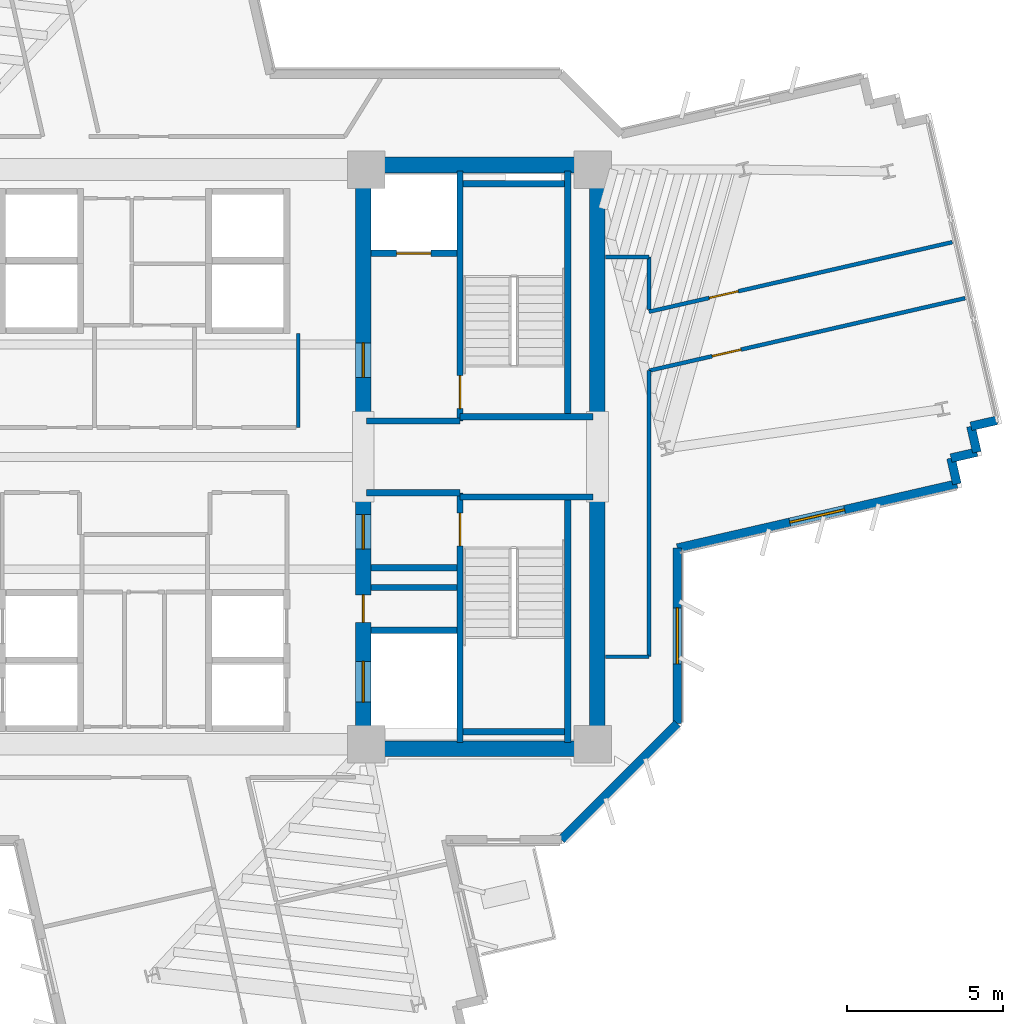
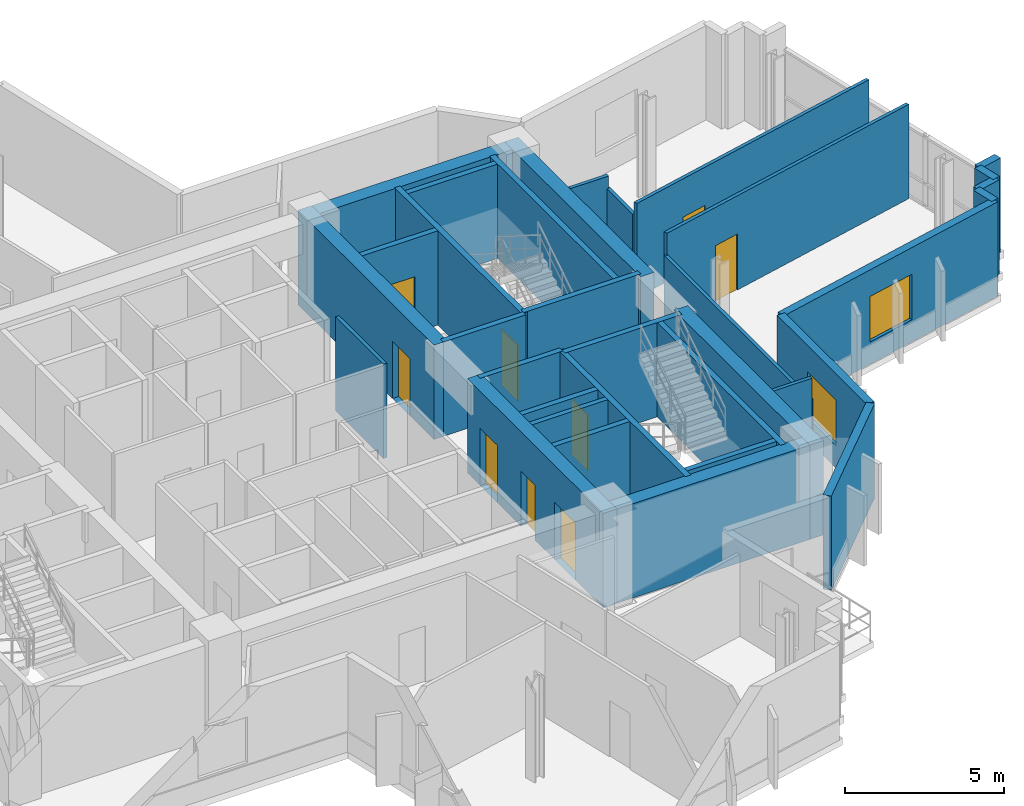
# One storey, part 9 of 13: 34 walls, 9 doors, 2 windows, 11 openings.
"""IFC4 building model written with IfcOpenShell, lengths in metres."""

from ifc_helpers import new_model, si_unit, direction, frame, frame_2d, origin, place, context, subcontext, project, spatial, rectangle, extrude, source, transform, mapped, material, layer, layer_set, type_object, element, fill, save


model = new_model("IFC4")

# Units and contexts
model_context = context("Model", 3, precision=1e-05, world=origin(), true_north=direction((0.0, 1.0)))
body_context = subcontext(model_context, "Body", "Model", "MODEL_VIEW")
ifc_project = project(units=[si_unit("LENGTHUNIT", "METRE"), si_unit("AREAUNIT", "SQUARE_METRE"), si_unit("VOLUMEUNIT", "CUBIC_METRE"), si_unit("PLANEANGLEUNIT", "RADIAN"), si_unit("MASSUNIT", "GRAM", prefix="KILO")], contexts=[model_context])

# Site, building, storey
site_placement = place(None, origin())
site = spatial("IfcSite", under=ifc_project, at=site_placement, CompositionType="ELEMENT")
building_placement = place(site_placement, origin())
building = spatial("IfcBuilding", under=site, at=building_placement, Name="Zahravan Cultural Tower", CompositionType="ELEMENT")
storey_placement = place(building_placement, frame((0.0, 0.0, 170.699951171875)))
storey = spatial("IfcBuildingStorey", under=building, at=storey_placement, Name="L39", CompositionType="ELEMENT", Elevation=170.699951171875)

# Wall, openings, doors
ifc_material_1 = material(Name="Concrete C60/75", Category="concrete")
ifc_layer_1 = layer(ifc_material_1, 0.5)
ifc_layer_set_1 = layer_set([ifc_layer_1], Name="Concrete C60/75")
wall_type_1 = type_object("IfcWallType", Name="CW-SHEAR-500-C60", PredefinedType="SHEAR", material=ifc_layer_set_1)
wall_1_placement = place(storey_placement, frame((43.0, 17.39990234375, 0.0), z_axis=(0.0, 0.0, 1.0), x_axis=(0.0, 1.0, 0.0)))
wall_1 = element("IfcWall", 1, at=wall_1_placement, inside=storey, type_object=wall_type_1, Name="L39 Core Shear Wall CW-E-WS-L39", PredefinedType="SHEAR", context=body_context, shape_type="SweptSolid", body=[
    extrude(rectangle(XDim=8.550048828125, YDim=0.5, at=frame_2d((4.27490234375, 0.0))), origin(), (0.0, 0.0, 1.0), 3.6201171875),
])
opening_1_placement = place(wall_1_placement, frame((6.64990234375, 0.0, 0.0)))
opening_1 = element("IfcOpeningElement", 2, at=opening_1_placement, cuts=wall_1, Name="Opening D-L39-08", PredefinedType="OPENING", context=body_context, shape_type="SweptSolid", body=[
    extrude(rectangle(XDim=1.10009765625, YDim=2.199951171875, at=frame_2d((0.550048828125, 1.10009765625))), frame((0.0, 0.260009765625, 0.0), z_axis=(0.0, -1.0, 0.0), x_axis=(1.0, 0.0, 0.0)), (0.0, 0.0, 1.0), 0.52001953125),
])
opening_2_placement = place(wall_1_placement, frame((1.75, 0.0, 0.0)))
opening_2 = element("IfcOpeningElement", 3, at=opening_2_placement, cuts=wall_1, Name="Opening LD-L39-03", PredefinedType="OPENING", context=body_context, shape_type="SweptSolid", body=[
    extrude(rectangle(XDim=1.300048828125, YDim=2.199951171875, at=frame_2d((0.64990234375, 1.10009765625))), frame((0.0, 0.260009765625, 0.0), z_axis=(0.0, -1.0, 0.0), x_axis=(1.0, 0.0, 0.0)), (0.0, 0.0, 1.0), 0.52001953125),
])
opening_3_placement = place(wall_1_placement, frame((4.300048828125, 0.0, 0.0)))
opening_3 = element("IfcOpeningElement", 4, at=opening_3_placement, cuts=wall_1, Name="Opening D-L39-12", PredefinedType="OPENING", context=body_context, shape_type="SweptSolid", body=[
    extrude(rectangle(XDim=0.8798828125, YDim=2.10009765625, at=frame_2d((0.43994140625, 1.050048828125))), frame((0.0, 0.260009765625, 0.0), z_axis=(0.0, -1.0, 0.0), x_axis=(1.0, 0.0, 0.0)), (0.0, 0.0, 1.0), 0.52001953125),
])
ifc_material_2 = material(Name="Steel ASTM A572 Grade 50", Category="steel")
door_type_1 = type_object("IfcDoorType", Name="DR-LOBBY-1100", OperationType="NOTDEFINED", PredefinedType="DOOR", material=ifc_material_2)
shared_shape_1 = source(origin(), body_context, "Body", "SweptSolid", [
    extrude(rectangle(XDim=1.10009765625, YDim=2.199951171875, at=frame_2d((0.550048828125, 1.10009765625))), frame((0.0, 0.02490234375, 0.0), z_axis=(0.0, -1.0, 0.0), x_axis=(1.0, 0.0, 0.0)), (0.0, 0.0, 1.0), 0.050048828125),
])
door_1_placement = place(opening_1_placement, origin())
door_1 = element("IfcDoor", 5, at=door_1_placement, inside=storey, type_object=door_type_1, Name="L39 Door D-L39-08", OperationType="SINGLE_SWING_RIGHT", OverallHeight=2.199951171875, OverallWidth=1.10009765625, PredefinedType="DOOR", context=body_context, shape_type="MappedRepresentation", body=[
    mapped(shared_shape_1, transform((0.0, 0.0, 0.0), x_axis=(1.0, 0.0, 0.0), y_axis=(0.0, 1.0, 0.0), z_axis=(0.0, 0.0, 1.0), scale=1.0)),
])
fill(opening_1, door_1)
door_type_2 = type_object("IfcDoorType", Name="DR-LIFT-1300", OperationType="DOUBLE_DOOR_SLIDING", PredefinedType="DOOR", material=ifc_material_2)
shared_shape_2 = source(origin(), body_context, "Body", "SweptSolid", [
    extrude(rectangle(XDim=1.300048828125, YDim=2.199951171875, at=frame_2d((0.64990234375, 1.10009765625))), frame((0.0, 0.02490234375, 0.0), z_axis=(0.0, -1.0, 0.0), x_axis=(1.0, 0.0, 0.0)), (0.0, 0.0, 1.0), 0.050048828125),
])
door_2_placement = place(opening_2_placement, origin())
door_2 = element("IfcDoor", 6, at=door_2_placement, inside=storey, type_object=door_type_2, Name="L39 Door LD-L39-03", OperationType="DOUBLE_DOOR_SLIDING", OverallHeight=2.199951171875, OverallWidth=1.300048828125, PredefinedType="DOOR", context=body_context, shape_type="MappedRepresentation", body=[
    mapped(shared_shape_2, transform((0.0, 0.0, 0.0), x_axis=(1.0, 0.0, 0.0), y_axis=(0.0, 1.0, 0.0), z_axis=(0.0, 0.0, 1.0), scale=1.0)),
])
fill(opening_2, door_2)
door_type_3 = type_object("IfcDoorType", Name="DR-SVC-880", OperationType="NOTDEFINED", PredefinedType="DOOR", material=ifc_material_2)
shared_shape_3 = source(origin(), body_context, "Body", "SweptSolid", [
    extrude(rectangle(XDim=0.8798828125, YDim=2.10009765625, at=frame_2d((0.43994140625, 1.050048828125))), frame((0.0, 0.02490234375, 0.0), z_axis=(0.0, -1.0, 0.0), x_axis=(1.0, 0.0, 0.0)), (0.0, 0.0, 1.0), 0.050048828125),
])
door_3_placement = place(opening_3_placement, origin())
door_3 = element("IfcDoor", 7, at=door_3_placement, inside=storey, type_object=door_type_3, Name="L39 Door D-L39-12", OperationType="SINGLE_SWING_RIGHT", OverallHeight=2.10009765625, OverallWidth=0.8798828125, PredefinedType="DOOR", context=body_context, shape_type="MappedRepresentation", body=[
    mapped(shared_shape_3, transform((0.0, 0.0, 0.0), x_axis=(1.0, 0.0, 0.0), y_axis=(0.0, 1.0, 0.0), z_axis=(0.0, 0.0, 1.0), scale=1.0)),
])
fill(opening_3, door_3)

# Wall, opening, door
wall_2_placement = place(storey_placement, frame((43.0, 28.050048828125, 0.0), z_axis=(0.0, 0.0, 1.0), x_axis=(0.0, 1.0, 0.0)))
wall_2 = element("IfcWall", 8, at=wall_2_placement, inside=storey, type_object=wall_type_1, Name="L39 Core Shear Wall CW-E-WN-L39", PredefinedType="SHEAR", context=body_context, shape_type="SweptSolid", body=[
    extrude(rectangle(XDim=8.550048828125, YDim=0.5, at=frame_2d((4.27490234375, 0.0))), origin(), (0.0, 0.0, 1.0), 3.6201171875),
])
opening_4_placement = place(wall_2_placement, frame((1.5, 0.0, 0.0)))
opening_4 = element("IfcOpeningElement", 9, at=opening_4_placement, cuts=wall_2, Name="Opening D-L39-06", PredefinedType="OPENING", context=body_context, shape_type="SweptSolid", body=[
    extrude(rectangle(XDim=1.10009765625, YDim=2.199951171875, at=frame_2d((0.550048828125, 1.10009765625))), frame((0.0, 0.260009765625, 0.0), z_axis=(0.0, -1.0, 0.0), x_axis=(1.0, 0.0, 0.0)), (0.0, 0.0, 1.0), 0.52001953125),
])
door_4_placement = place(opening_4_placement, origin())
door_4 = element("IfcDoor", 10, at=door_4_placement, inside=storey, type_object=door_type_1, Name="L39 Door D-L39-06", OperationType="SINGLE_SWING_RIGHT", OverallHeight=2.199951171875, OverallWidth=1.10009765625, PredefinedType="DOOR", context=body_context, shape_type="MappedRepresentation", body=[
    mapped(shared_shape_1, transform((0.0, 0.0, 0.0), x_axis=(1.0, 0.0, 0.0), y_axis=(0.0, 1.0, 0.0), z_axis=(0.0, 0.0, 1.0), scale=1.0)),
])
fill(opening_4, door_4)

# Wall, opening, window
ifc_material_3 = material(Name="Precast concrete C40/50", Category="concrete")
ifc_layer_2 = layer(ifc_material_3, 0.280029296875)
ifc_layer_set_2 = layer_set([ifc_layer_2], Name="Precast concrete C40/50")
wall_type_2 = type_object("IfcWallType", Name="EW-TC-280", PredefinedType="SOLIDWALL", material=ifc_layer_set_2)
wall_3_placement = place(storey_placement, frame((62.01220703125, 26.13427734375, 0.0), z_axis=(0.0, 0.0, 1.0), x_axis=(-0.974680686557, -0.223601340005, 0.0)))
wall_3 = element("IfcWall", 11, at=wall_3_placement, inside=storey, type_object=wall_type_2, Name="L39 Exterior Masonry Frame Wall 10", PredefinedType="SOLIDWALL", context=body_context, shape_type="SweptSolid", body=[
    extrude(rectangle(XDim=9.184814453125, YDim=0.280029296875, at=frame_2d((4.59228515625, 0.0))), origin(), (0.0, 0.0, 1.0), 3.6201171875),
])
opening_5_placement = place(wall_3_placement, frame((3.69189453125, 0.0, 0.85009765625)))
opening_5 = element("IfcOpeningElement", 12, at=opening_5_placement, cuts=wall_3, Name="Opening WN-02", PredefinedType="OPENING", context=body_context, shape_type="SweptSolid", body=[
    extrude(rectangle(XDim=1.800048828125, YDim=1.75, at=frame_2d((0.89990234375, 0.875))), frame((0.0, 0.14990234375, 0.0), z_axis=(0.0, -1.0, 0.0), x_axis=(1.0, 0.0, 0.0)), (0.0, 0.0, 1.0), 0.300048828125),
])
ifc_material_4 = material(Name="Low-E solar-control double glazing", Category="glass")
window_type = type_object("IfcWindowType", Name="WN-REC-1800X1750", PartitioningType="DOUBLE_PANEL_VERTICAL", PredefinedType="WINDOW", material=ifc_material_4)
shared_shape_4 = source(origin(), body_context, "Body", "SweptSolid", [
    extrude(rectangle(XDim=1.800048828125, YDim=1.75, at=frame_2d((0.89990234375, 0.875))), frame((0.0, 0.030029296875, 0.0), z_axis=(0.0, -1.0, 0.0), x_axis=(1.0, 0.0, 0.0)), (0.0, 0.0, 1.0), 0.06005859375),
])
window_1_placement = place(opening_5_placement, origin())
window_1 = element("IfcWindow", 13, at=window_1_placement, inside=storey, type_object=window_type, Name="L39 Recessed Solar Window 02", OverallHeight=1.75, OverallWidth=1.800048828125, PartitioningType="DOUBLE_PANEL_VERTICAL", PredefinedType="WINDOW", context=body_context, shape_type="MappedRepresentation", body=[
    mapped(shared_shape_4, transform((0.0, 0.0, 0.0), x_axis=(1.0, 0.0, 0.0), y_axis=(0.0, 1.0, 0.0), z_axis=(0.0, 0.0, 1.0), scale=1.0)),
])
fill(opening_5, window_1)

wall_4_placement = place(storey_placement, frame((53.06005859375, 24.08056640625, 0.0), z_axis=(0.0, 0.0, 1.0), x_axis=(0.0, -1.0, 0.0)))
wall_4 = element("IfcWall", 14, at=wall_4_placement, inside=storey, type_object=wall_type_2, Name="L39 Exterior Masonry Frame Wall 11", PredefinedType="SOLIDWALL", context=body_context, shape_type="SweptSolid", body=[
    extrude(rectangle(XDim=5.62255859375, YDim=0.280029296875, at=frame_2d((2.811279296875, 0.0))), origin(), (0.0, 0.0, 1.0), 3.6201171875),
])
opening_6_placement = place(wall_4_placement, frame((1.910888671875, 0.0, 0.85009765625)))
opening_6 = element("IfcOpeningElement", 15, at=opening_6_placement, cuts=wall_4, Name="Opening WN-02", PredefinedType="OPENING", context=body_context, shape_type="SweptSolid", body=[
    extrude(rectangle(XDim=1.800048828125, YDim=1.75, at=frame_2d((0.89990234375, 0.875))), frame((0.0, 0.14990234375, 0.0), z_axis=(0.0, -1.0, 0.0), x_axis=(1.0, 0.0, 0.0)), (0.0, 0.0, 1.0), 0.300048828125),
])
window_2_placement = place(opening_6_placement, origin())
window_2 = element("IfcWindow", 16, at=window_2_placement, inside=storey, type_object=window_type, Name="L39 Recessed Solar Window 03", OverallHeight=1.75, OverallWidth=1.800048828125, PartitioningType="DOUBLE_PANEL_VERTICAL", PredefinedType="WINDOW", context=body_context, shape_type="MappedRepresentation", body=[
    mapped(shared_shape_4, transform((0.0, 0.0, 0.0), x_axis=(1.0, 0.0, 0.0), y_axis=(0.0, 1.0, 0.0), z_axis=(0.0, 0.0, 1.0), scale=1.0)),
])
fill(opening_6, window_2)

# Wall, opening, door
ifc_material_5 = material(Name="Gypsum plasterboard partition")
ifc_layer_3 = layer(ifc_material_5, 0.125)
ifc_layer_set_3 = layer_set([ifc_layer_3], Name="Gypsum plasterboard partition")
wall_type_3 = type_object("IfcWallType", Name="W-PART-125", PredefinedType="PARTITIONING", material=ifc_layer_set_3)
wall_5_placement = place(storey_placement, frame((52.14990234375, 29.760986328125, 0.0), z_axis=(0.0, 0.0, 1.0), x_axis=(0.974685490502, 0.223580398525, 0.0)))
wall_5 = element("IfcWall", 17, at=wall_5_placement, inside=storey, type_object=wall_type_3, Name="L39 Interior Wall 103", PredefinedType="PARTITIONING", context=body_context, shape_type="SweptSolid", body=[
    extrude(rectangle(XDim=10.38671875, YDim=0.125, at=frame_2d((5.193359375, 0.0))), origin(), (0.0, 0.0, 1.0), 3.6201171875),
])
opening_7_placement = place(wall_5_placement, frame((2.075927734375, 0.0, 0.0)))
opening_7 = element("IfcOpeningElement", 18, at=opening_7_placement, cuts=wall_5, Name="Opening D-L39-23", PredefinedType="OPENING", context=body_context, shape_type="SweptSolid", body=[
    extrude(rectangle(XDim=0.949951171875, YDim=2.14990234375, at=frame_2d((0.47509765625, 1.074951171875))), frame((0.0, 0.072509765625, 0.0), z_axis=(0.0, -1.0, 0.0), x_axis=(1.0, 0.0, 0.0)), (0.0, 0.0, 1.0), 0.14501953125),
])
ifc_material_6 = material(Name="Anodised bronze-aluminium mullion", Category="aluminium")
door_type_4 = type_object("IfcDoorType", Name="DR-ROOM-950", OperationType="NOTDEFINED", PredefinedType="DOOR", material=ifc_material_6)
shared_shape_5 = source(origin(), body_context, "Body", "SweptSolid", [
    extrude(rectangle(XDim=0.949951171875, YDim=2.14990234375, at=frame_2d((0.47509765625, 1.074951171875))), frame((0.0, 0.02490234375, 0.0), z_axis=(0.0, -1.0, 0.0), x_axis=(1.0, 0.0, 0.0)), (0.0, 0.0, 1.0), 0.050048828125),
])
door_5_placement = place(opening_7_placement, origin())
door_5 = element("IfcDoor", 19, at=door_5_placement, inside=storey, type_object=door_type_4, Name="L39 Door D-L39-23", OperationType="SINGLE_SWING_LEFT", OverallHeight=2.14990234375, OverallWidth=0.949951171875, PredefinedType="DOOR", context=body_context, shape_type="MappedRepresentation", body=[
    mapped(shared_shape_5, transform((0.0, 0.0, 0.0), x_axis=(1.0, 0.0, 0.0), y_axis=(0.0, 1.0, 0.0), z_axis=(0.0, 0.0, 1.0), scale=1.0)),
])
fill(opening_7, door_5)

wall_6_placement = place(storey_placement, frame((61.8623046875, 33.876708984375, 0.0), z_axis=(0.0, 0.0, 1.0), x_axis=(-0.974682727551, -0.223592443106, 0.0)))
wall_6 = element("IfcWall", 20, at=wall_6_placement, inside=storey, type_object=wall_type_3, Name="L39 Interior Wall 105", PredefinedType="PARTITIONING", context=body_context, shape_type="SweptSolid", body=[
    extrude(rectangle(XDim=9.964599609375, YDim=0.125, at=frame_2d((4.982421875, 0.0))), origin(), (0.0, 0.0, 1.0), 3.6201171875),
])
opening_8_placement = place(wall_6_placement, frame((7.03125, 0.0, 0.0)))
opening_8 = element("IfcOpeningElement", 21, at=opening_8_placement, cuts=wall_6, Name="Opening D-L39-24", PredefinedType="OPENING", context=body_context, shape_type="SweptSolid", body=[
    extrude(rectangle(XDim=0.949951171875, YDim=2.14990234375, at=frame_2d((0.47509765625, 1.074951171875))), frame((0.0, 0.072509765625, 0.0), z_axis=(0.0, -1.0, 0.0), x_axis=(1.0, 0.0, 0.0)), (0.0, 0.0, 1.0), 0.14501953125),
])
door_6_placement = place(opening_8_placement, origin())
door_6 = element("IfcDoor", 22, at=door_6_placement, inside=storey, type_object=door_type_4, Name="L39 Door D-L39-24", OperationType="SINGLE_SWING_RIGHT", OverallHeight=2.14990234375, OverallWidth=0.949951171875, PredefinedType="DOOR", context=body_context, shape_type="MappedRepresentation", body=[
    mapped(shared_shape_5, transform((0.0, 0.0, 0.0), x_axis=(1.0, 0.0, 0.0), y_axis=(0.0, 1.0, 0.0), z_axis=(0.0, 0.0, 1.0), scale=1.0)),
])
fill(opening_8, door_6)

ifc_material_7 = material(Name="Concrete C45/55", Category="concrete")
ifc_layer_4 = layer(ifc_material_7, 0.199951171875)
ifc_layer_set_4 = layer_set([ifc_layer_4], Name="Concrete C45/55")
wall_type_4 = type_object("IfcWallType", Name="W-SHAFT-200", PredefinedType="SOLIDWALL", material=ifc_layer_set_4)
wall_7_placement = place(storey_placement, frame((46.10009765625, 17.85009765625, 0.0), z_axis=(0.0, 0.0, 1.0), x_axis=(0.0, 1.0, 0.0)))
wall_7 = element("IfcWall", 23, at=wall_7_placement, inside=storey, type_object=wall_type_4, Name="L39 Interior Wall 007", PredefinedType="SOLIDWALL", context=body_context, shape_type="SweptSolid", body=[
    extrude(rectangle(XDim=8.0, YDim=0.199951171875, at=frame_2d((4.0, 0.0))), origin(), (0.0, 0.0, 1.0), 3.6201171875),
])
opening_9_placement = place(wall_7_placement, frame((6.300048828125, 0.0, 0.0)))
opening_9 = element("IfcOpeningElement", 24, at=opening_9_placement, cuts=wall_7, Name="Opening D-L39-03", PredefinedType="OPENING", context=body_context, shape_type="SweptSolid", body=[
    extrude(rectangle(XDim=1.050048828125, YDim=2.14990234375, at=frame_2d((0.52490234375, 1.074951171875))), frame((0.0, 0.10986328125, 0.0), z_axis=(0.0, -1.0, 0.0), x_axis=(1.0, 0.0, 0.0)), (0.0, 0.0, 1.0), 0.219970703125),
])
door_type_5 = type_object("IfcDoorType", Name="DR-STAIR-1050", OperationType="NOTDEFINED", PredefinedType="DOOR", material=ifc_material_2)
shared_shape_6 = source(origin(), body_context, "Body", "SweptSolid", [
    extrude(rectangle(XDim=1.050048828125, YDim=2.14990234375, at=frame_2d((0.52490234375, 1.074951171875))), frame((0.0, 0.02490234375, 0.0), z_axis=(0.0, -1.0, 0.0), x_axis=(1.0, 0.0, 0.0)), (0.0, 0.0, 1.0), 0.050048828125),
])
door_7_placement = place(opening_9_placement, origin())
door_7 = element("IfcDoor", 25, at=door_7_placement, inside=storey, type_object=door_type_5, Name="L39 Door D-L39-03", OperationType="SINGLE_SWING_LEFT", OverallHeight=2.14990234375, OverallWidth=1.050048828125, PredefinedType="DOOR", context=body_context, shape_type="MappedRepresentation", body=[
    mapped(shared_shape_6, transform((0.0, 0.0, 0.0), x_axis=(1.0, 0.0, 0.0), y_axis=(0.0, 1.0, 0.0), z_axis=(0.0, 0.0, 1.0), scale=1.0)),
])
fill(opening_9, door_7)

wall_8_placement = place(storey_placement, frame((46.10009765625, 28.14990234375, 0.0), z_axis=(0.0, 0.0, 1.0), x_axis=(0.0, 1.0, 0.0)))
wall_8 = element("IfcWall", 26, at=wall_8_placement, inside=storey, type_object=wall_type_4, Name="L39 Interior Wall 008", PredefinedType="SOLIDWALL", context=body_context, shape_type="SweptSolid", body=[
    extrude(rectangle(XDim=8.0, YDim=0.199951171875, at=frame_2d((4.0, 0.0))), origin(), (0.0, 0.0, 1.0), 3.6201171875),
])
opening_10_placement = place(wall_8_placement, frame((0.39990234375, 0.0, 0.0)))
opening_10 = element("IfcOpeningElement", 27, at=opening_10_placement, cuts=wall_8, Name="Opening D-L39-02", PredefinedType="OPENING", context=body_context, shape_type="SweptSolid", body=[
    extrude(rectangle(XDim=1.050048828125, YDim=2.14990234375, at=frame_2d((0.52490234375, 1.074951171875))), frame((0.0, 0.10986328125, 0.0), z_axis=(0.0, -1.0, 0.0), x_axis=(1.0, 0.0, 0.0)), (0.0, 0.0, 1.0), 0.219970703125),
])
door_8_placement = place(opening_10_placement, origin())
door_8 = element("IfcDoor", 28, at=door_8_placement, inside=storey, type_object=door_type_5, Name="L39 Door D-L39-02", OperationType="SINGLE_SWING_RIGHT", OverallHeight=2.14990234375, OverallWidth=1.050048828125, PredefinedType="DOOR", context=body_context, shape_type="MappedRepresentation", body=[
    mapped(shared_shape_6, transform((0.0, 0.0, 0.0), x_axis=(1.0, 0.0, 0.0), y_axis=(0.0, 1.0, 0.0), z_axis=(0.0, 0.0, 1.0), scale=1.0)),
])
fill(opening_10, door_8)

wall_9_placement = place(storey_placement, frame((43.25, 33.52001953125, 0.0), z_axis=(0.0, 0.0, 1.0), x_axis=(1.0, 0.0, 0.0)))
wall_9 = element("IfcWall", 29, at=wall_9_placement, inside=storey, type_object=wall_type_4, Name="L39 Interior Wall 022", PredefinedType="SOLIDWALL", context=body_context, shape_type="SweptSolid", body=[
    extrude(rectangle(XDim=2.75, YDim=0.199951171875, at=frame_2d((1.375, 0.0))), origin(), (0.0, 0.0, 1.0), 3.6201171875),
])
opening_11_placement = place(wall_9_placement, frame((0.820068359375, 0.0, 0.0)))
opening_11 = element("IfcOpeningElement", 30, at=opening_11_placement, cuts=wall_9, Name="Opening LD-L39-02", PredefinedType="OPENING", context=body_context, shape_type="SweptSolid", body=[
    extrude(rectangle(XDim=1.10009765625, YDim=2.14990234375, at=frame_2d((0.550048828125, 1.074951171875))), frame((0.0, 0.10986328125, 0.0), z_axis=(0.0, -1.0, 0.0), x_axis=(1.0, 0.0, 0.0)), (0.0, 0.0, 1.0), 0.219970703125),
])
door_type_6 = type_object("IfcDoorType", Name="DR-LIFT-1100", OperationType="DOUBLE_DOOR_SLIDING", PredefinedType="DOOR", material=ifc_material_2)
shared_shape_7 = source(origin(), body_context, "Body", "SweptSolid", [
    extrude(rectangle(XDim=1.10009765625, YDim=2.14990234375, at=frame_2d((0.550048828125, 1.074951171875))), frame((0.0, 0.02490234375, 0.0), z_axis=(0.0, -1.0, 0.0), x_axis=(1.0, 0.0, 0.0)), (0.0, 0.0, 1.0), 0.050048828125),
])
door_9_placement = place(opening_11_placement, origin())
door_9 = element("IfcDoor", 31, at=door_9_placement, inside=storey, type_object=door_type_6, Name="L39 Door LD-L39-02", OperationType="DOUBLE_DOOR_SLIDING", OverallHeight=2.14990234375, OverallWidth=1.10009765625, PredefinedType="DOOR", context=body_context, shape_type="MappedRepresentation", body=[
    mapped(shared_shape_7, transform((0.0, 0.0, 0.0), x_axis=(1.0, 0.0, 0.0), y_axis=(0.0, 1.0, 0.0), z_axis=(0.0, 0.0, 1.0), scale=1.0)),
])
fill(opening_11, door_9)

# Walls
shared_shape_8 = source(origin(), body_context, "Body", "SweptSolid", [
    extrude(rectangle(XDim=8.550048828125, YDim=0.5, at=frame_2d((4.27490234375, 0.0))), origin(), (0.0, 0.0, 1.0), 3.6201171875),
])
for number, where, z_axis, x_axis, name in (
    (32, (50.5, 17.39990234375, 0.0), (0.0, 0.0, 1.0), (0.0, 1.0, 0.0), "L39 Core Shear Wall CW-E-ES-L39"),
    (33, (50.5, 28.050048828125, 0.0), (0.0, 0.0, 1.0), (0.0, 1.0, 0.0), "L39 Core Shear Wall CW-E-EN-L39"),
):
    element("IfcWall", number, at=place(storey_placement, frame(where, z_axis=z_axis, x_axis=x_axis)), inside=storey, type_object=wall_type_1, Name=name, PredefinedType="SHEAR", context=body_context, shape_type="MappedRepresentation", body=[
        mapped(shared_shape_8, transform((0.0, 0.0, 0.0), x_axis=(1.0, 0.0, 0.0), y_axis=(0.0, 1.0, 0.0), z_axis=(0.0, 0.0, 1.0), scale=1.0)),
    ])
shared_shape_9 = source(origin(), body_context, "Body", "SweptSolid", [
    extrude(rectangle(XDim=7.0, YDim=0.5, at=frame_2d((3.5, 0.0))), origin(), (0.0, 0.0, 1.0), 3.6201171875),
])
for number, where, z_axis, x_axis, name in (
    (34, (43.25, 17.64990234375, 0.0), (0.0, 0.0, 1.0), (1.0, 0.0, 0.0), "L39 Core Shear Wall CW-E-S-L39"),
    (35, (43.25, 36.35009765625, 0.0), (0.0, 0.0, 1.0), (1.0, 0.0, 0.0), "L39 Core Shear Wall CW-E-N-L39"),
):
    element("IfcWall", number, at=place(storey_placement, frame(where, z_axis=z_axis, x_axis=x_axis)), inside=storey, type_object=wall_type_1, Name=name, PredefinedType="SHEAR", context=body_context, shape_type="MappedRepresentation", body=[
        mapped(shared_shape_9, transform((0.0, 0.0, 0.0), x_axis=(1.0, 0.0, 0.0), y_axis=(0.0, 1.0, 0.0), z_axis=(0.0, 0.0, 1.0), scale=1.0)),
    ])
shared_shape_10 = source(origin(), body_context, "Body", "SweptSolid", [
    extrude(rectangle(XDim=0.85009765625, YDim=0.280029296875, at=frame_2d((0.425048828125, 0.0))), origin(), (0.0, 0.0, 1.0), 3.6201171875),
])
wall_10_placement = place(storey_placement, frame((62.460693359375, 27.981201171875, 0.0), z_axis=(0.0, 0.0, 1.0), x_axis=(0.22316012353, -0.974781800849, 0.0)))
element("IfcWall", 36, at=wall_10_placement, inside=storey, type_object=wall_type_2, Name="L39 Exterior Masonry Frame Wall 07", PredefinedType="SOLIDWALL", context=body_context, shape_type="MappedRepresentation", body=[
    mapped(shared_shape_10, transform((0.0, 0.0, 0.0), x_axis=(1.0, 0.0, 0.0), y_axis=(0.0, 1.0, 0.0), z_axis=(0.0, 0.0, 1.0), scale=1.0)),
])
shared_shape_11 = source(origin(), body_context, "Body", "SweptSolid", [
    extrude(rectangle(XDim=5.258056640625, YDim=0.280029296875, at=frame_2d((2.62890625, 0.0))), origin(), (0.0, 0.0, 1.0), 3.6201171875),
])
wall_11_placement = place(storey_placement, frame((53.06005859375, 18.4580078125, 0.0), z_axis=(0.0, 0.0, 1.0), x_axis=(-0.707106781187, -0.707106781187, 0.0)))
element("IfcWall", 37, at=wall_11_placement, inside=storey, type_object=wall_type_2, Name="L39 Exterior Masonry Frame Wall 12", PredefinedType="SOLIDWALL", context=body_context, shape_type="MappedRepresentation", body=[
    mapped(shared_shape_11, transform((0.0, 0.0, 0.0), x_axis=(1.0, 0.0, 0.0), y_axis=(0.0, 1.0, 0.0), z_axis=(0.0, 0.0, 1.0), scale=1.0)),
])
shared_shape_12 = source(origin(), body_context, "Body", "SweptSolid", [
    extrude(rectangle(XDim=0.849853515625, YDim=0.280029296875, at=frame_2d((0.4248046875, 0.0))), origin(), (0.0, 0.0, 1.0), 3.6201171875),
])
for number, where, z_axis, x_axis, name in (
    (38, (63.2890625, 28.171142578125, 0.0), (0.0, 0.0, 1.0), (-0.974704946586, -0.223495563939, 0.0), "L39 Exterior Masonry Frame Wall 06"),
    (39, (62.650390625, 27.152587890625, 0.0), (0.0, 0.0, 1.0), (-0.974704946586, -0.223495563939, 0.0), "L39 Exterior Masonry Frame Wall 08"),
    (40, (61.822021484375, 26.962646484375, 0.0), (0.0, 0.0, 1.0), (0.223768457828, -0.974642333003, 0.0), "L39 Exterior Masonry Frame Wall 09"),
):
    element("IfcWall", number, at=place(storey_placement, frame(where, z_axis=z_axis, x_axis=x_axis)), inside=storey, type_object=wall_type_2, Name=name, PredefinedType="SOLIDWALL", context=body_context, shape_type="MappedRepresentation", body=[
        mapped(shared_shape_12, transform((0.0, 0.0, 0.0), x_axis=(1.0, 0.0, 0.0), y_axis=(0.0, 1.0, 0.0), z_axis=(0.0, 0.0, 1.0), scale=1.0)),
    ])
shared_shape_13 = source(origin(), body_context, "Body", "SweptSolid", [
    extrude(rectangle(XDim=7.869873046875, YDim=0.199951171875, at=frame_2d((3.93505859375, 0.0))), origin(), (0.0, 0.0, 1.0), 3.6201171875),
])
for number, where, z_axis, x_axis, name in (
    (41, (49.550048828125, 17.85009765625, 0.0), (0.0, 0.0, 1.0), (0.0, 1.0, 0.0), "L39 Interior Wall 003"),
    (42, (49.550048828125, 28.280029296875, 0.0), (0.0, 0.0, 1.0), (0.0, 1.0, 0.0), "L39 Interior Wall 004"),
):
    element("IfcWall", number, at=place(storey_placement, frame(where, z_axis=z_axis, x_axis=x_axis)), inside=storey, type_object=wall_type_4, Name=name, PredefinedType="SOLIDWALL", context=body_context, shape_type="MappedRepresentation", body=[
        mapped(shared_shape_13, transform((0.0, 0.0, 0.0), x_axis=(1.0, 0.0, 0.0), y_axis=(0.0, 1.0, 0.0), z_axis=(0.0, 0.0, 1.0), scale=1.0)),
    ])
shared_shape_14 = source(origin(), body_context, "Body", "SweptSolid", [
    extrude(rectangle(XDim=4.25, YDim=0.199951171875, at=frame_2d((2.125, 0.0))), origin(), (0.0, 0.0, 1.0), 3.6201171875),
])
for number, where, z_axis, x_axis, name in (
    (43, (46.10009765625, 25.715087890625, 0.0), (0.0, 0.0, 1.0), (1.0, 0.0, 0.0), "L39 Interior Wall 014"),
    (44, (46.10009765625, 28.284912109375, 0.0), (0.0, 0.0, 1.0), (1.0, 0.0, 0.0), "L39 Interior Wall 016"),
):
    element("IfcWall", number, at=place(storey_placement, frame(where, z_axis=z_axis, x_axis=x_axis)), inside=storey, type_object=wall_type_4, Name=name, PredefinedType="SOLIDWALL", context=body_context, shape_type="MappedRepresentation", body=[
        mapped(shared_shape_14, transform((0.0, 0.0, 0.0), x_axis=(1.0, 0.0, 0.0), y_axis=(0.0, 1.0, 0.0), z_axis=(0.0, 0.0, 1.0), scale=1.0)),
    ])
shared_shape_15 = source(origin(), body_context, "Body", "SweptSolid", [
    extrude(rectangle(XDim=3.0, YDim=0.199951171875, at=frame_2d((1.5, 0.0))), origin(), (0.0, 0.0, 1.0), 3.6201171875),
])
for number, where, z_axis, x_axis, name in (
    (45, (43.10009765625, 25.85009765625, 0.0), (0.0, 0.0, 1.0), (1.0, 0.0, 0.0), "L39 Interior Wall 013"),
    (46, (43.10009765625, 28.14990234375, 0.0), (0.0, 0.0, 1.0), (1.0, 0.0, 0.0), "L39 Interior Wall 015"),
):
    element("IfcWall", number, at=place(storey_placement, frame(where, z_axis=z_axis, x_axis=x_axis)), inside=storey, type_object=wall_type_4, Name=name, PredefinedType="SOLIDWALL", context=body_context, shape_type="MappedRepresentation", body=[
        mapped(shared_shape_15, transform((0.0, 0.0, 0.0), x_axis=(1.0, 0.0, 0.0), y_axis=(0.0, 1.0, 0.0), z_axis=(0.0, 0.0, 1.0), scale=1.0)),
    ])
shared_shape_16 = source(origin(), body_context, "Body", "SweptSolid", [
    extrude(rectangle(XDim=3.25, YDim=0.199951171875, at=frame_2d((1.625, 0.0))), origin(), (0.0, 0.0, 1.0), 3.6201171875),
])
for number, where, z_axis, x_axis, name in (
    (47, (46.199951171875, 35.75, 0.0), (0.0, 0.0, 1.0), (1.0, 0.0, 0.0), "L39 Interior Wall 018"),
    (48, (46.199951171875, 18.199951171875, 0.0), (0.0, 0.0, 1.0), (1.0, 0.0, 0.0), "L39 Interior Wall 020"),
):
    element("IfcWall", number, at=place(storey_placement, frame(where, z_axis=z_axis, x_axis=x_axis)), inside=storey, type_object=wall_type_4, Name=name, PredefinedType="SOLIDWALL", context=body_context, shape_type="MappedRepresentation", body=[
        mapped(shared_shape_16, transform((0.0, 0.0, 0.0), x_axis=(1.0, 0.0, 0.0), y_axis=(0.0, 1.0, 0.0), z_axis=(0.0, 0.0, 1.0), scale=1.0)),
    ])
shared_shape_17 = source(origin(), body_context, "Body", "SweptSolid", [
    extrude(rectangle(XDim=2.75, YDim=0.199951171875, at=frame_2d((1.375, 0.0))), origin(), (0.0, 0.0, 1.0), 3.6201171875),
])
for number, where, z_axis, x_axis, name in (
    (49, (43.25, 23.449951171875, 0.0), (0.0, 0.0, 1.0), (1.0, 0.0, 0.0), "L39 Interior Wall 024"),
    (50, (43.25, 21.449951171875, 0.0), (0.0, 0.0, 1.0), (1.0, 0.0, 0.0), "L39 Interior Wall 025"),
):
    element("IfcWall", number, at=place(storey_placement, frame(where, z_axis=z_axis, x_axis=x_axis)), inside=storey, type_object=wall_type_4, Name=name, PredefinedType="SOLIDWALL", context=body_context, shape_type="MappedRepresentation", body=[
        mapped(shared_shape_17, transform((0.0, 0.0, 0.0), x_axis=(1.0, 0.0, 0.0), y_axis=(0.0, 1.0, 0.0), z_axis=(0.0, 0.0, 1.0), scale=1.0)),
    ])
ifc_layer_5 = layer(ifc_material_5, 0.179931640625)
ifc_layer_set_5 = layer_set([ifc_layer_5], Name="Gypsum plasterboard partition")
wall_type_5 = type_object("IfcWallType", Name="W-COMP-180", PredefinedType="PARTITIONING", material=ifc_layer_set_5)
shared_shape_18 = source(origin(), body_context, "Body", "SweptSolid", [
    extrude(rectangle(XDim=2.75, YDim=0.179931640625, at=frame_2d((1.375, 0.0))), origin(), (0.0, 0.0, 1.0), 3.6201171875),
])
wall_12_placement = place(storey_placement, frame((43.25, 22.820068359375, 0.0), z_axis=(0.0, 0.0, 1.0), x_axis=(1.0, 0.0, 0.0)))
element("IfcWall", 51, at=wall_12_placement, inside=storey, type_object=wall_type_5, Name="L39 Interior Wall 028", PredefinedType="PARTITIONING", context=body_context, shape_type="MappedRepresentation", body=[
    mapped(shared_shape_18, transform((0.0, 0.0, 0.0), x_axis=(1.0, 0.0, 0.0), y_axis=(0.0, 1.0, 0.0), z_axis=(0.0, 0.0, 1.0), scale=1.0)),
])
shared_shape_19 = source(origin(), body_context, "Body", "SweptSolid", [
    extrude(rectangle(XDim=3.010009765625, YDim=0.125, at=frame_2d((1.5048828125, 0.0))), origin(), (0.0, 0.0, 1.0), 3.6201171875),
])
wall_13_placement = place(storey_placement, frame((40.919921875, 30.949951171875, 0.0), z_axis=(0.0, 0.0, 1.0), x_axis=(0.0, -1.0, 0.0)))
element("IfcWall", 52, at=wall_13_placement, inside=storey, type_object=wall_type_3, Name="L39 Interior Wall 086", PredefinedType="PARTITIONING", context=body_context, shape_type="MappedRepresentation", body=[
    mapped(shared_shape_19, transform((0.0, 0.0, 0.0), x_axis=(1.0, 0.0, 0.0), y_axis=(0.0, 1.0, 0.0), z_axis=(0.0, 0.0, 1.0), scale=1.0)),
])
shared_shape_20 = source(origin(), body_context, "Body", "SweptSolid", [
    extrude(rectangle(XDim=1.39404296875, YDim=0.125, at=frame_2d((0.697021484375, 0.0))), origin(), (0.0, 0.0, 1.0), 3.6201171875),
])
wall_14_placement = place(storey_placement, frame((52.14892578125, 33.39892578125, 0.0), z_axis=(0.0, 0.0, 1.0), x_axis=(-0.999999754632, 0.000700525222, 0.0)))
element("IfcWall", 53, at=wall_14_placement, inside=storey, type_object=wall_type_3, Name="L39 Interior Wall 107", PredefinedType="PARTITIONING", context=body_context, shape_type="MappedRepresentation", body=[
    mapped(shared_shape_20, transform((0.0, 0.0, 0.0), x_axis=(1.0, 0.0, 0.0), y_axis=(0.0, 1.0, 0.0), z_axis=(0.0, 0.0, 1.0), scale=1.0)),
])
shared_shape_21 = source(origin(), body_context, "Body", "SweptSolid", [
    extrude(rectangle(XDim=1.38916015625, YDim=0.125, at=frame_2d((0.694580078125, 0.0))), origin(), (0.0, 0.0, 1.0), 3.6201171875),
])
wall_15_placement = place(storey_placement, frame((50.7548828125, 20.60009765625, 0.0), z_axis=(0.0, 0.0, 1.0), x_axis=(1.0, 0.0, 0.0)))
element("IfcWall", 54, at=wall_15_placement, inside=storey, type_object=wall_type_3, Name="L39 Interior Wall 101", PredefinedType="PARTITIONING", context=body_context, shape_type="MappedRepresentation", body=[
    mapped(shared_shape_21, transform((0.0, 0.0, 0.0), x_axis=(1.0, 0.0, 0.0), y_axis=(0.0, 1.0, 0.0), z_axis=(0.0, 0.0, 1.0), scale=1.0)),
])
shared_shape_22 = source(origin(), body_context, "Body", "SweptSolid", [
    extrude(rectangle(XDim=9.1533203125, YDim=0.125, at=frame_2d((4.57666015625, 0.0))), origin(), (0.0, 0.0, 1.0), 2.76611328125),
])
wall_16_placement = place(storey_placement, frame((52.149658203125, 20.607666015625, 0.0), z_axis=(0.0, 0.0, 1.0), x_axis=(2.6672357e-05, 0.999999999644, 0.0)))
element("IfcWall", 55, at=wall_16_placement, inside=storey, type_object=wall_type_3, Name="L39 Interior Wall 102", PredefinedType="PARTITIONING", context=body_context, shape_type="MappedRepresentation", body=[
    mapped(shared_shape_22, transform((0.0, 0.0, 0.0), x_axis=(1.0, 0.0, 0.0), y_axis=(0.0, 1.0, 0.0), z_axis=(0.0, 0.0, 1.0), scale=1.0)),
])
shared_shape_23 = source(origin(), body_context, "Body", "SweptSolid", [
    extrude(rectangle(XDim=1.680908203125, YDim=0.125, at=frame_2d((0.84033203125, 0.0))), origin(), (0.0, 0.0, 1.0), 3.149169921875),
])
wall_17_placement = place(storey_placement, frame((52.14990234375, 31.718017578125, 0.0), z_axis=(0.0, 0.0, 1.0), x_axis=(-0.000580973032, 0.999999831235, 0.0)))
element("IfcWall", 56, at=wall_17_placement, inside=storey, type_object=wall_type_3, Name="L39 Interior Wall 106", PredefinedType="PARTITIONING", context=body_context, shape_type="MappedRepresentation", body=[
    mapped(shared_shape_23, transform((0.0, 0.0, 0.0), x_axis=(1.0, 0.0, 0.0), y_axis=(0.0, 1.0, 0.0), z_axis=(0.0, 0.0, 1.0), scale=1.0)),
])

save(model, "model.ifc")
